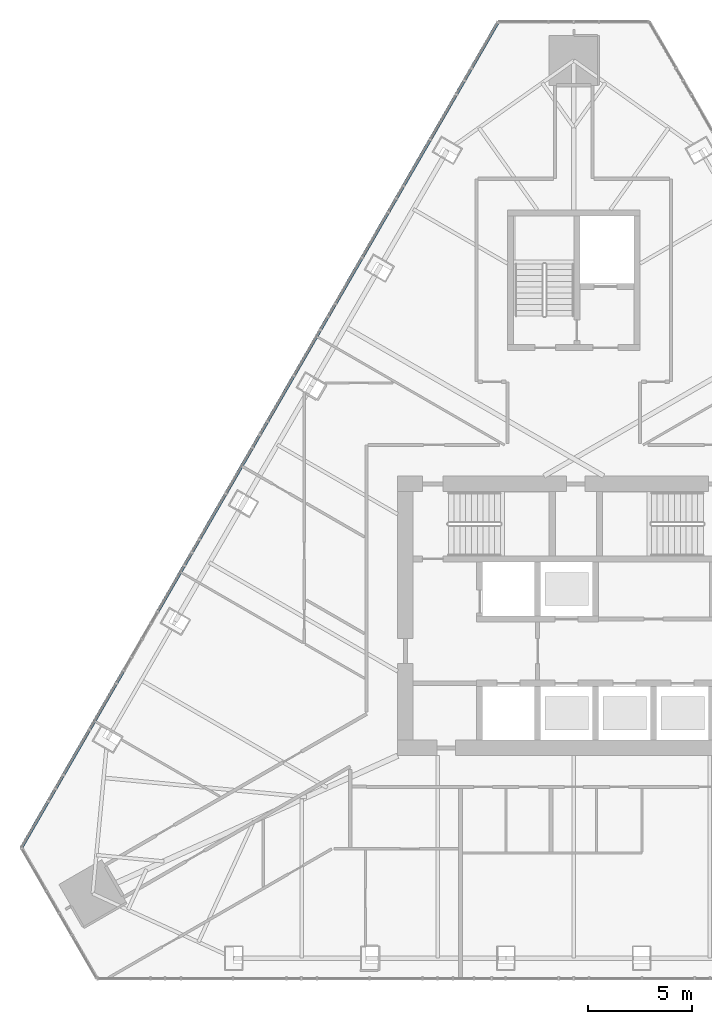
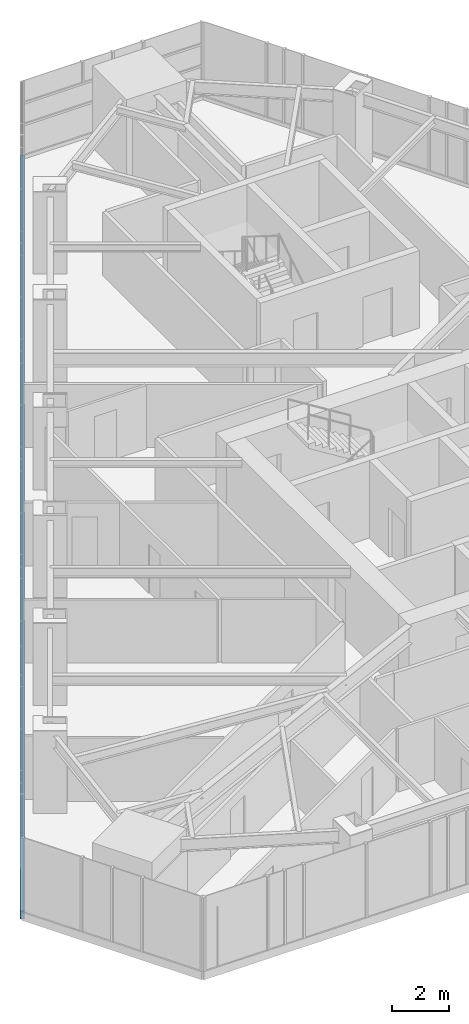
# One storey, part 6 of 20: 1 member, 1 element without a shape of its own.
"""IFC4 building model written with IfcOpenShell, lengths in metres."""

import ifcopenshell
import ifcopenshell.guid

model = None  # the IFC model being written
_history = None  # IfcOwnerHistory: only IFC2X3 demands one
_inside = {}  # id of a spatial element -> (the spatial element, [elements in it])
_under = {}  # id of a project, library or spatial element -> (it, [spatial elements below it])
_declared = {}  # id of a project -> (the project, [libraries it declares])
_typed = {}  # id of a type object -> (the type object, [elements of that type])
_made_of = {}  # id of a material, layer set ... -> (it, [elements and type objects made of it])


def new_model(schema):
    """Start an empty IFC model of exactly this schema.

    Asked for "IFC4X3", IfcOpenShell would pick the latest addendum, in which some entities
    have other attributes; the version numbers below select the first issue.
    IFC2X3 requires an IfcOwnerHistory on every rooted entity: one is made here for all.
    """
    global model, _history
    if schema == "IFC4X3":
        model = ifcopenshell.file(schema_version=(4, 3, 0, 0))
    else:
        model = ifcopenshell.file(schema=schema)
    _inside.clear()
    _under.clear()
    _declared.clear()
    _typed.clear()
    _made_of.clear()
    _history = None
    if model.schema == "IFC2X3":
        org = make("IfcOrganization", Name="unknown")
        user = make(
            "IfcPersonAndOrganization",
            ThePerson=make("IfcPerson", FamilyName="unknown"),
            TheOrganization=org,
        )
        app = make(
            "IfcApplication",
            ApplicationDeveloper=org,
            Version="unknown",
            ApplicationFullName="unknown",
            ApplicationIdentifier="unknown",
        )
        _history = make(
            "IfcOwnerHistory",
            OwningUser=user,
            OwningApplication=app,
            ChangeAction="ADDED",
            CreationDate=0,
        )
    return model


def make(cls, **values):
    """One entity of the class cls with the attributes given. An attribute that is None is left unset."""
    return model.create_entity(
        cls, **{name: value for name, value in values.items() if value is not None}
    )


def rooted(cls, **values):
    """An entity with a GlobalId (a new one), such as an element, a storey or a relation."""
    return make(cls, GlobalId=ifcopenshell.guid.new(), OwnerHistory=_history, **values)


def si_unit(unit_type, name, prefix=None):
    """IfcSIUnit, for example si_unit("LENGTHUNIT", "METRE", prefix="MILLI")."""
    return make("IfcSIUnit", UnitType=unit_type, Prefix=prefix, Name=name)


def assignment(units):
    """IfcUnitAssignment: the units of a project."""
    return None if units is None else make("IfcUnitAssignment", Units=units)


def point(xyz):
    """IfcCartesianPoint."""
    return None if xyz is None else make("IfcCartesianPoint", Coordinates=xyz)


def direction(xyz):
    """IfcDirection."""
    return None if xyz is None else make("IfcDirection", DirectionRatios=xyz)


def frame(location, z_axis=None, x_axis=None):
    """IfcAxis2Placement3D, a coordinate frame: its origin and axes. An axis left out is left unset."""
    return make(
        "IfcAxis2Placement3D",
        Location=point(location),
        Axis=direction(z_axis),
        RefDirection=direction(x_axis),
    )


def frame_2d(location, x_axis=None):
    """IfcAxis2Placement2D, a coordinate frame in the plane: its origin and x axis."""
    return make(
        "IfcAxis2Placement2D", Location=point(location), RefDirection=direction(x_axis)
    )


def origin():
    """The frame at (0, 0, 0) with its axes left unset."""
    return frame((0.0, 0.0, 0.0))


def origin_2d():
    """The frame at (0, 0) in the plane with its x axis left unset."""
    return frame_2d((0.0, 0.0))


def place(relative_to, where):
    """IfcLocalPlacement: puts the frame where relative to a parent placement (None: the world)."""
    return make(
        "IfcLocalPlacement", PlacementRelTo=relative_to, RelativePlacement=where
    )


def context(
    kind, dimensions, precision=None, world=None, true_north=None, identifier=None
):
    """IfcGeometricRepresentationContext, for example the 3D "Model" context."""
    return make(
        "IfcGeometricRepresentationContext",
        ContextIdentifier=identifier,
        ContextType=kind,
        CoordinateSpaceDimension=dimensions,
        Precision=precision,
        WorldCoordinateSystem=world,
        TrueNorth=true_north,
    )


def subcontext(parent, identifier, kind, view, scale=None):
    """IfcGeometricRepresentationSubContext, for example "Body" below "Model"."""
    return make(
        "IfcGeometricRepresentationSubContext",
        ContextIdentifier=identifier,
        ContextType=kind,
        ParentContext=parent,
        TargetScale=scale,
        TargetView=view,
    )


def project(units=None, contexts=None):
    """IfcProject with its units and contexts."""
    return rooted(
        "IfcProject",
        Name="project",
        RepresentationContexts=contexts,
        UnitsInContext=assignment(units),
    )


def spatial(cls, under=None, at=None, **own):
    """A site, building, storey or space (cls), placed at a placement, below another one or the project."""
    s = rooted(cls, ObjectPlacement=at, **own)
    if under is not None:
        _under.setdefault(under.id(), (under, []))[1].append(s)
    return s


def profile(cls, at=None, kind="AREA", **sizes):
    """A parametric profile (cls). Its sizes go by their IFC names, for example OverallWidth=200.0."""
    return make(cls, ProfileType=kind, Position=at, **sizes)


def rectangle(**sizes):
    """IfcRectangleProfileDef."""
    return profile("IfcRectangleProfileDef", **sizes)


def extrude(swept, where, along, depth):
    """IfcExtrudedAreaSolid: the profile swept, set in the frame where, extruded along a direction by depth."""
    return make(
        "IfcExtrudedAreaSolid",
        SweptArea=swept,
        Position=where,
        ExtrudedDirection=direction(along),
        Depth=depth,
    )


def shape(context_of_items, identifier, shape_type, items):
    """IfcShapeRepresentation: the items that make up one representation, for example the "Body"."""
    return make(
        "IfcShapeRepresentation",
        ContextOfItems=context_of_items,
        RepresentationIdentifier=identifier,
        RepresentationType=shape_type,
        Items=items,
    )


def material(Name=None, Category=None):
    """IfcMaterial."""
    return make("IfcMaterial", Name=Name, Category=Category)


def layer(
    of_material, thickness, ventilated=None, Name=None, Category=None, Priority=None
):
    """IfcMaterialLayer: one layer of a wall or slab, of a material (None: an air gap)."""
    return make(
        "IfcMaterialLayer",
        Material=of_material,
        LayerThickness=thickness,
        IsVentilated=ventilated,
        Name=Name,
        Category=Category,
        Priority=Priority,
    )


def layer_set(layers, Name=None):
    """IfcMaterialLayerSet."""
    return make("IfcMaterialLayerSet", MaterialLayers=layers, LayerSetName=Name)


def material_profile(
    of_material, cross_section, Name=None, Category=None, Priority=None
):
    """IfcMaterialProfile: a cross section and its material."""
    return make(
        "IfcMaterialProfile",
        Name=Name,
        Material=of_material,
        Profile=cross_section,
        Priority=Priority,
        Category=Category,
    )


def profile_set(profiles, Name=None, composite=None):
    """IfcMaterialProfileSet."""
    return make(
        "IfcMaterialProfileSet",
        Name=Name,
        MaterialProfiles=profiles,
        CompositeProfile=composite,
    )


def made_of(thing, what):
    """Note that an element or type object is made of a material, layer set ...; save() writes the relation."""
    if what is not None:
        _made_of.setdefault(what.id(), (what, []))[1].append(thing)
    return thing


def type_object(cls, material=None, **own):
    """A type object (cls), such as IfcWallType, which elements share."""
    return made_of(rooted(cls, **own), material)


def element(
    cls,
    number,
    at=None,
    inside=None,
    cuts=None,
    type_object=None,
    material=None,
    context=None,
    identifier="Body",
    shape_type=None,
    held_by="IfcProductDefinitionShape",
    body=None,
    shapes=None,
    **own,
):
    """One element of the class cls, such as IfcWall. Its Tag is "e" and its number.

    at: its placement. inside: the storey or other place that contains it. cuts: it is an
    opening in that element (IfcRelVoidsElement). A single representation is given by context,
    identifier, shape_type and body (its items); several are given by shapes. held_by: the class
    of the entity that holds the representations. save() writes the other relations.
    """
    e = rooted(cls, Tag="e%d" % number, ObjectPlacement=at, **own)
    if body is not None:
        shapes = [shape(context, identifier, shape_type, body)]
    if shapes is not None:
        e.Representation = make(held_by, Representations=shapes)
    if inside is not None:
        _inside.setdefault(inside.id(), (inside, []))[1].append(e)
    if cuts is not None:
        rooted(
            "IfcRelVoidsElement", RelatingBuildingElement=cuts, RelatedOpeningElement=e
        )
    if type_object is not None:
        _typed.setdefault(type_object.id(), (type_object, []))[1].append(e)
    return made_of(e, material)


def aggregate(whole, parts):
    """IfcRelAggregates: a whole, such as a stair, and the parts it consists of."""
    return rooted("IfcRelAggregates", RelatingObject=whole, RelatedObjects=parts)


def save(model, path):
    """Write the relations noted so far, then the file.

    IfcRelAggregates (storeys below a building ...), IfcRelContainedInSpatialStructure (elements
    in a storey), IfcRelDefinesByType, IfcRelAssociatesMaterial and IfcRelDeclares: one each for
    every whole, place, type object, material and project.
    """
    for whole, parts in _under.values():
        aggregate(whole, parts)
    for where, things in _inside.values():
        rooted(
            "IfcRelContainedInSpatialStructure",
            RelatedElements=things,
            RelatingStructure=where,
        )
    for kind, things in _typed.values():
        rooted("IfcRelDefinesByType", RelatedObjects=things, RelatingType=kind)
    for what, things in _made_of.values():
        rooted("IfcRelAssociatesMaterial", RelatedObjects=things, RelatingMaterial=what)
    for by, libraries in _declared.values():
        rooted("IfcRelDeclares", RelatingContext=by, RelatedDefinitions=libraries)
    model.write(path)


model = new_model("IFC4")

# Units and contexts
model_context = context("Model", 3, precision=1e-05, world=origin(), true_north=direction((0.0, 1.0)))
body_context = subcontext(model_context, "Body", "Model", "MODEL_VIEW")
ifc_project = project(units=[si_unit("LENGTHUNIT", "METRE"), si_unit("AREAUNIT", "SQUARE_METRE"), si_unit("VOLUMEUNIT", "CUBIC_METRE"), si_unit("PLANEANGLEUNIT", "RADIAN"), si_unit("MASSUNIT", "GRAM", prefix="KILO")], contexts=[model_context])

# Site, building, storey
site_placement = place(None, origin())
site = spatial("IfcSite", under=ifc_project, at=site_placement, CompositionType="ELEMENT")
building_placement = place(site_placement, origin())
building = spatial("IfcBuilding", under=site, at=building_placement, Name="Firuza Gate Tower and Library", CompositionType="ELEMENT")
storey_placement = place(building_placement, frame((0.0, 0.0, 277.60009765625)))
storey = spatial("IfcBuildingStorey", under=building, at=storey_placement, Name="L66", CompositionType="ELEMENT", Elevation=277.60009765625)

# Curtain wall, member
ifc_material_1 = material(Name="Aluminium 6063-T6", Category="aluminium")
ifc_layer = layer(ifc_material_1, 0.14990234375)
ifc_layer_set = layer_set([ifc_layer], Name="Unitised curtain wall, residences")
curtain_wall_type = type_object("IfcCurtainWallType", Name="Unitised curtain wall, residences", PredefinedType="NOTDEFINED", material=ifc_layer_set)
curtain_wall_placement = place(storey_placement, origin())
curtain_wall = element("IfcCurtainWall", 1, at=curtain_wall_placement, inside=storey, type_object=curtain_wall_type, Name="CW3 L66 W face", PredefinedType="NOTDEFINED")
ifc_material_2 = material(Name="Aluminium 6063-T6", Category="aluminium")
ifc_material_profile = material_profile(ifc_material_2, rectangle(XDim=0.14990234375, YDim=0.35009765625, at=origin_2d()))
ifc_profile_set = profile_set([ifc_material_profile], Name="Aluminium 6063-T6")
member_type = type_object("IfcMemberType", Name="Curtain wall transom 350x150", PredefinedType="USERDEFINED", material=ifc_profile_set)
member_placement = place(storey_placement, frame((71.356689453125, 103.68701171875, -0.025146484375), z_axis=(-0.499999832513, -0.866025500483, 0.0), x_axis=(0.866025500483, -0.499999832513, 0.0)))
member = element("IfcMember", 2, at=member_placement, type_object=member_type, Name="Transom", ObjectType="TRANSOM", PredefinedType="USERDEFINED", context=body_context, shape_type="SweptSolid", body=[
    extrude(rectangle(XDim=0.14990234375, YDim=0.35009765625, at=origin_2d()), origin(), (0.0, 0.0, 1.0), 46.0439453125),
])
aggregate(curtain_wall, [member])

save(model, "model.ifc")
